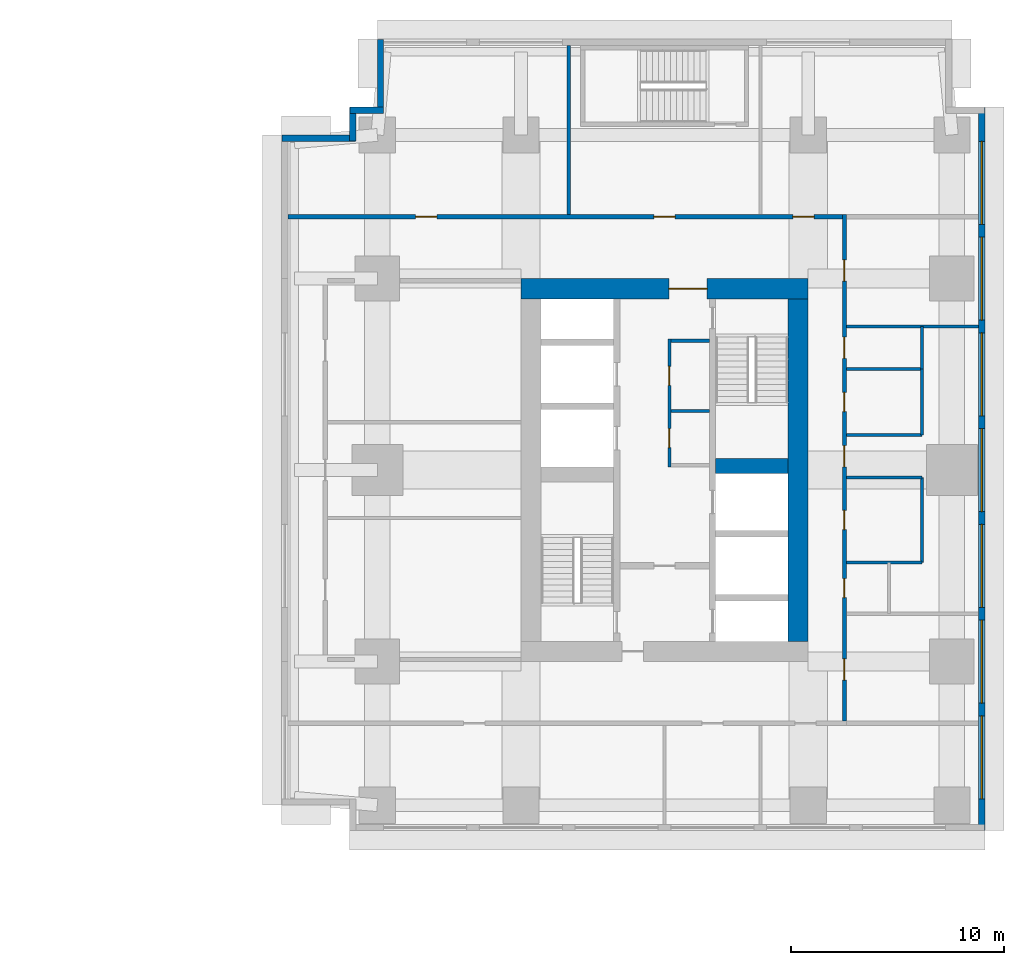
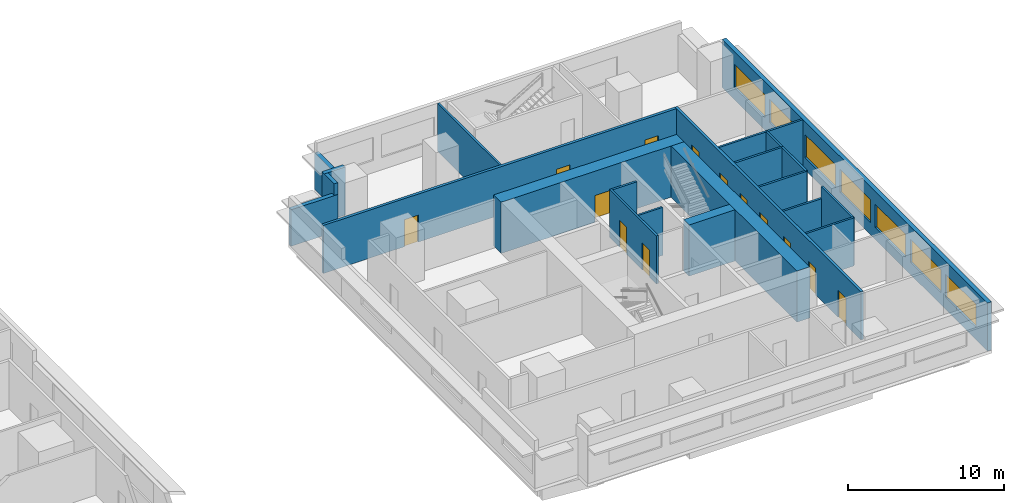
# One storey, part 7 of 11: 22 walls, 13 doors, 7 windows, 20 openings.
"""IFC4 building model written with IfcOpenShell, lengths in metres."""

from ifc_helpers import new_model, si_unit, direction, frame, frame_2d, origin, place, context, subcontext, project, spatial, rectangle, extrude, material, layer, layer_set, type_object, element, fill, save


model = new_model("IFC4")

# Units and contexts
model_context = context("Model", 3, precision=1e-05, world=origin(), true_north=direction((0.0, 1.0)))
body_context = subcontext(model_context, "Body", "Model", "MODEL_VIEW")
ifc_project = project(units=[si_unit("LENGTHUNIT", "METRE"), si_unit("AREAUNIT", "SQUARE_METRE"), si_unit("VOLUMEUNIT", "CUBIC_METRE"), si_unit("PLANEANGLEUNIT", "RADIAN"), si_unit("MASSUNIT", "GRAM", prefix="KILO")], contexts=[model_context])

# Site, building, storey
site_placement = place(None, origin())
site = spatial("IfcSite", under=ifc_project, at=site_placement, CompositionType="ELEMENT")
building_placement = place(site_placement, origin())
building = spatial("IfcBuilding", under=site, at=building_placement, Name="Namib Vertical Campus", CompositionType="ELEMENT")
storey_placement = place(building_placement, frame((0.0, 0.0, 101.0)))
storey = spatial("IfcBuildingStorey", under=building, at=storey_placement, Name="L23", CompositionType="ELEMENT", Elevation=101.0)

# Walls
ifc_material_1 = material(Name="Concrete C60/75", Category="concrete")
ifc_layer_1 = layer(ifc_material_1, 0.699951171875)
ifc_layer_set_1 = layer_set([ifc_layer_1], Name="Concrete C60/75")
wall_type_1 = type_object("IfcWallType", Name="Core shear wall 700", PredefinedType="SHEAR", material=ifc_layer_set_1)
wall_1_placement = place(storey_placement, frame((83.39990234375, 20.449951171875, 0.0), z_axis=(0.0, 0.0, 1.0), x_axis=(1.0, 0.0, 0.0)))
element("IfcWall", 1, at=wall_1_placement, inside=storey, type_object=wall_type_1, Name="Core shear wall B L23 W7", PredefinedType="SHEAR", context=body_context, shape_type="SweptSolid", body=[
    extrude(rectangle(XDim=3.400146484375, YDim=0.699951171875, at=frame_2d((1.7001953125, 0.0))), origin(), (0.0, 0.0, 1.0), 4.0),
])
ifc_material_2 = material(Name="Concrete C60/75", Category="concrete")
ifc_layer_2 = layer(ifc_material_2, 0.949951171875)
ifc_layer_set_2 = layer_set([ifc_layer_2], Name="Concrete C60/75")
wall_type_2 = type_object("IfcWallType", Name="Core wall 950", PredefinedType="SHEAR", material=ifc_layer_set_2)
wall_2_placement = place(storey_placement, frame((87.27490234375, 12.199951171875, 0.0), z_axis=(0.0, 0.0, 1.0), x_axis=(0.0, 1.0, 0.0)))
element("IfcWall", 2, at=wall_2_placement, inside=storey, type_object=wall_type_2, Name="Core wall B L23 2", PredefinedType="SHEAR", context=body_context, shape_type="SweptSolid", body=[
    extrude(rectangle(XDim=16.10009765625, YDim=0.949951171875, at=frame_2d((8.050048828125, 0.0))), origin(), (0.0, 0.0, 1.0), 4.0),
])

# Wall, opening, door
wall_3_placement = place(storey_placement, frame((87.75, 28.77490234375, 0.0), z_axis=(0.0, 0.0, 1.0), x_axis=(-1.0, 0.0, 0.0)))
wall_3 = element("IfcWall", 3, at=wall_3_placement, inside=storey, type_object=wall_type_2, Name="Core wall B L23 3", PredefinedType="SHEAR", context=body_context, shape_type="SweptSolid", body=[
    extrude(rectangle(XDim=13.5, YDim=0.949951171875, at=frame_2d((6.75, 0.0))), origin(), (0.0, 0.0, 1.0), 4.0),
])
opening_1_placement = place(wall_3_placement, frame((4.75, 0.0, 0.0)))
opening_1 = element("IfcOpeningElement", 4, at=opening_1_placement, cuts=wall_3, Name="Opening FD2", PredefinedType="OPENING", context=body_context, shape_type="SweptSolid", body=[
    extrude(rectangle(XDim=1.800048828125, YDim=2.10009765625, at=frame_2d((0.89990234375, 1.050048828125))), frame((0.0, 0.48486328125, 0.0), z_axis=(0.0, -1.0, 0.0), x_axis=(1.0, 0.0, 0.0)), (0.0, 0.0, 1.0), 0.969970703125),
])
ifc_material_3 = material(Name="Steel fire door", Category="steel")
door_type_1 = type_object("IfcDoorType", Name="Fire door double 1800x2100", OperationType="DOUBLE_DOOR_SINGLE_SWING", PredefinedType="DOOR", material=ifc_material_3)
door_1_placement = place(opening_1_placement, origin())
door_1 = element("IfcDoor", 5, at=door_1_placement, inside=storey, type_object=door_type_1, Name="Lift lobby door FD2 B L23", OperationType="DOUBLE_DOOR_SINGLE_SWING", OverallHeight=2.10009765625, OverallWidth=1.800048828125, PredefinedType="DOOR", context=body_context, shape_type="SweptSolid", body=[
    extrude(rectangle(XDim=1.800048828125, YDim=2.10009765625, at=frame_2d((0.89990234375, 1.050048828125))), frame((0.0, 0.02490234375, 0.0), z_axis=(0.0, -1.0, 0.0), x_axis=(1.0, 0.0, 0.0)), (0.0, 0.0, 1.0), 0.050048828125),
])
fill(opening_1, door_1)

# Wall, openings, doors
ifc_material_4 = material(Name="Concrete masonry", Category="masonry")
ifc_layer_3 = layer(ifc_material_4, 0.199951171875)
ifc_layer_set_3 = layer_set([ifc_layer_3], Name="Corridor wall 200")
wall_type_3 = type_object("IfcWallType", Name="Corridor wall 200", PredefinedType="SOLIDWALL", material=ifc_layer_set_3)
wall_4_placement = place(storey_placement, frame((89.449951171875, 8.449951171875, 0.0), z_axis=(0.0, 0.0, 1.0), x_axis=(0.0, 1.0, 0.0)))
wall_4 = element("IfcWall", 6, at=wall_4_placement, inside=storey, type_object=wall_type_3, Name="Corridor wall B L23 CE", PredefinedType="SOLIDWALL", context=body_context, shape_type="SweptSolid", body=[
    extrude(rectangle(XDim=23.800048828125, YDim=0.199951171875, at=frame_2d((11.89990234375, 0.0))), origin(), (0.0, 0.0, 1.0), 3.75),
])
opening_2_placement = place(wall_4_placement, frame((1.925048828125, 0.0, 0.0)))
opening_2 = element("IfcOpeningElement", 7, at=opening_2_placement, cuts=wall_4, Name="Opening CD1", PredefinedType="OPENING", context=body_context, shape_type="SweptSolid", body=[
    extrude(rectangle(XDim=1.0, YDim=2.10009765625, at=frame_2d((0.5, 1.050048828125))), frame((0.0, 0.10986328125, 0.0), z_axis=(0.0, -1.0, 0.0), x_axis=(1.0, 0.0, 0.0)), (0.0, 0.0, 1.0), 0.219970703125),
])
opening_3_placement = place(wall_4_placement, frame((5.800048828125, 0.0, 0.0)))
opening_3 = element("IfcOpeningElement", 8, at=opening_3_placement, cuts=wall_4, Name="Opening CD3", PredefinedType="OPENING", context=body_context, shape_type="SweptSolid", body=[
    extrude(rectangle(XDim=0.89990234375, YDim=2.10009765625, at=frame_2d((0.449951171875, 1.050048828125))), frame((0.0, 0.10986328125, 0.0), z_axis=(0.0, -1.0, 0.0), x_axis=(1.0, 0.0, 0.0)), (0.0, 0.0, 1.0), 0.219970703125),
])
opening_4_placement = place(wall_4_placement, frame((9.0, 0.0, 0.0)))
opening_4 = element("IfcOpeningElement", 9, at=opening_4_placement, cuts=wall_4, Name="Opening CD3", PredefinedType="OPENING", context=body_context, shape_type="SweptSolid", body=[
    extrude(rectangle(XDim=0.89990234375, YDim=2.10009765625, at=frame_2d((0.449951171875, 1.050048828125))), frame((0.0, 0.10986328125, 0.0), z_axis=(0.0, -1.0, 0.0), x_axis=(1.0, 0.0, 0.0)), (0.0, 0.0, 1.0), 0.219970703125),
])
opening_5_placement = place(wall_4_placement, frame((14.550048828125, 0.0, 0.0)))
opening_5 = element("IfcOpeningElement", 10, at=opening_5_placement, cuts=wall_4, Name="Opening CD3", PredefinedType="OPENING", context=body_context, shape_type="SweptSolid", body=[
    extrude(rectangle(XDim=0.89990234375, YDim=2.10009765625, at=frame_2d((0.449951171875, 1.050048828125))), frame((0.0, 0.10986328125, 0.0), z_axis=(0.0, -1.0, 0.0), x_axis=(1.0, 0.0, 0.0)), (0.0, 0.0, 1.0), 0.219970703125),
])
opening_6_placement = place(wall_4_placement, frame((17.050048828125, 0.0, 0.0)))
opening_6 = element("IfcOpeningElement", 11, at=opening_6_placement, cuts=wall_4, Name="Opening CD1", PredefinedType="OPENING", context=body_context, shape_type="SweptSolid", body=[
    extrude(rectangle(XDim=1.0, YDim=2.10009765625, at=frame_2d((0.5, 1.050048828125))), frame((0.0, 0.10986328125, 0.0), z_axis=(0.0, -1.0, 0.0), x_axis=(1.0, 0.0, 0.0)), (0.0, 0.0, 1.0), 0.219970703125),
])
opening_7_placement = place(wall_4_placement, frame((11.949951171875, 0.0, 0.0)))
opening_7 = element("IfcOpeningElement", 12, at=opening_7_placement, cuts=wall_4, Name="Opening CD1", PredefinedType="OPENING", context=body_context, shape_type="SweptSolid", body=[
    extrude(rectangle(XDim=1.0, YDim=2.10009765625, at=frame_2d((0.5, 1.050048828125))), frame((0.0, 0.10986328125, 0.0), z_axis=(0.0, -1.0, 0.0), x_axis=(1.0, 0.0, 0.0)), (0.0, 0.0, 1.0), 0.219970703125),
])
opening_8_placement = place(wall_4_placement, frame((20.675048828125, 0.0, 0.0)))
opening_8 = element("IfcOpeningElement", 13, at=opening_8_placement, cuts=wall_4, Name="Opening CD1", PredefinedType="OPENING", context=body_context, shape_type="SweptSolid", body=[
    extrude(rectangle(XDim=1.0, YDim=2.10009765625, at=frame_2d((0.5, 1.050048828125))), frame((0.0, 0.10986328125, 0.0), z_axis=(0.0, -1.0, 0.0), x_axis=(1.0, 0.0, 0.0)), (0.0, 0.0, 1.0), 0.219970703125),
])
ifc_material_5 = material(Name="Timber fire door leaf", Category="wood")
door_type_2 = type_object("IfcDoorType", Name="Corridor door 1000x2100 20 min", OperationType="SINGLE_SWING_LEFT", PredefinedType="DOOR", material=ifc_material_5)
door_2_placement = place(opening_2_placement, frame((1.0, 0.0, 0.0), z_axis=(0.0, 0.0, 1.0), x_axis=(-1.0, 0.0, 0.0)))
door_2 = element("IfcDoor", 14, at=door_2_placement, inside=storey, type_object=door_type_2, Name="Door CD1 B23-04", OperationType="SINGLE_SWING_RIGHT", OverallHeight=2.10009765625, OverallWidth=1.0, PredefinedType="DOOR", context=body_context, shape_type="SweptSolid", body=[
    extrude(rectangle(XDim=1.0, YDim=2.10009765625, at=frame_2d((0.5, 1.050048828125))), frame((0.0, 0.02490234375, 0.0), z_axis=(0.0, -1.0, 0.0), x_axis=(1.0, 0.0, 0.0)), (0.0, 0.0, 1.0), 0.050048828125),
])
fill(opening_2, door_2)
door_3_placement = place(opening_6_placement, frame((1.0, 0.0, 0.0), z_axis=(0.0, 0.0, 1.0), x_axis=(-1.0, 0.0, 0.0)))
door_3 = element("IfcDoor", 15, at=door_3_placement, inside=storey, type_object=door_type_2, Name="Door CD1 B23-08", OperationType="SINGLE_SWING_RIGHT", OverallHeight=2.10009765625, OverallWidth=1.0, PredefinedType="DOOR", context=body_context, shape_type="SweptSolid", body=[
    extrude(rectangle(XDim=1.0, YDim=2.10009765625, at=frame_2d((0.5, 1.050048828125))), frame((0.0, 0.02490234375, 0.0), z_axis=(0.0, -1.0, 0.0), x_axis=(1.0, 0.0, 0.0)), (0.0, 0.0, 1.0), 0.050048828125),
])
fill(opening_6, door_3)
door_4_placement = place(opening_7_placement, frame((1.0, 0.0, 0.0), z_axis=(0.0, 0.0, 1.0), x_axis=(-1.0, 0.0, 0.0)))
door_4 = element("IfcDoor", 16, at=door_4_placement, inside=storey, type_object=door_type_2, Name="Door CD1 B23-09", OperationType="SINGLE_SWING_RIGHT", OverallHeight=2.10009765625, OverallWidth=1.0, PredefinedType="DOOR", context=body_context, shape_type="SweptSolid", body=[
    extrude(rectangle(XDim=1.0, YDim=2.10009765625, at=frame_2d((0.5, 1.050048828125))), frame((0.0, 0.02490234375, 0.0), z_axis=(0.0, -1.0, 0.0), x_axis=(1.0, 0.0, 0.0)), (0.0, 0.0, 1.0), 0.050048828125),
])
fill(opening_7, door_4)
door_5_placement = place(opening_8_placement, frame((1.0, 0.0, 0.0), z_axis=(0.0, 0.0, 1.0), x_axis=(-1.0, 0.0, 0.0)))
door_5 = element("IfcDoor", 17, at=door_5_placement, inside=storey, type_object=door_type_2, Name="Door CD1 B23-10", OperationType="SINGLE_SWING_RIGHT", OverallHeight=2.10009765625, OverallWidth=1.0, PredefinedType="DOOR", context=body_context, shape_type="SweptSolid", body=[
    extrude(rectangle(XDim=1.0, YDim=2.10009765625, at=frame_2d((0.5, 1.050048828125))), frame((0.0, 0.02490234375, 0.0), z_axis=(0.0, -1.0, 0.0), x_axis=(1.0, 0.0, 0.0)), (0.0, 0.0, 1.0), 0.050048828125),
])
fill(opening_8, door_5)
ifc_material_6 = material(Name="Timber fire door leaf", Category="wood")
door_type_3 = type_object("IfcDoorType", Name="Corridor toilet door 900x2100 20 min", OperationType="SINGLE_SWING_LEFT", PredefinedType="DOOR", material=ifc_material_6)
door_6_placement = place(opening_3_placement, frame((0.89990234375, 0.0, 0.0), z_axis=(0.0, 0.0, 1.0), x_axis=(-1.0, 0.0, 0.0)))
door_6 = element("IfcDoor", 18, at=door_6_placement, inside=storey, type_object=door_type_3, Name="Door CD3 B23-05", OperationType="SINGLE_SWING_RIGHT", OverallHeight=2.10009765625, OverallWidth=0.89990234375, PredefinedType="DOOR", context=body_context, shape_type="SweptSolid", body=[
    extrude(rectangle(XDim=0.89990234375, YDim=2.10009765625, at=frame_2d((0.449951171875, 1.050048828125))), frame((0.0, 0.02490234375, 0.0), z_axis=(0.0, -1.0, 0.0), x_axis=(1.0, 0.0, 0.0)), (0.0, 0.0, 1.0), 0.050048828125),
])
fill(opening_3, door_6)
door_7_placement = place(opening_4_placement, frame((0.89990234375, 0.0, 0.0), z_axis=(0.0, 0.0, 1.0), x_axis=(-1.0, 0.0, 0.0)))
door_7 = element("IfcDoor", 19, at=door_7_placement, inside=storey, type_object=door_type_3, Name="Door CD3 B23-06", OperationType="SINGLE_SWING_RIGHT", OverallHeight=2.10009765625, OverallWidth=0.89990234375, PredefinedType="DOOR", context=body_context, shape_type="SweptSolid", body=[
    extrude(rectangle(XDim=0.89990234375, YDim=2.10009765625, at=frame_2d((0.449951171875, 1.050048828125))), frame((0.0, 0.02490234375, 0.0), z_axis=(0.0, -1.0, 0.0), x_axis=(1.0, 0.0, 0.0)), (0.0, 0.0, 1.0), 0.050048828125),
])
fill(opening_4, door_7)
door_8_placement = place(opening_5_placement, frame((0.89990234375, 0.0, 0.0), z_axis=(0.0, 0.0, 1.0), x_axis=(-1.0, 0.0, 0.0)))
door_8 = element("IfcDoor", 20, at=door_8_placement, inside=storey, type_object=door_type_3, Name="Door CD3 B23-07", OperationType="SINGLE_SWING_RIGHT", OverallHeight=2.10009765625, OverallWidth=0.89990234375, PredefinedType="DOOR", context=body_context, shape_type="SweptSolid", body=[
    extrude(rectangle(XDim=0.89990234375, YDim=2.10009765625, at=frame_2d((0.449951171875, 1.050048828125))), frame((0.0, 0.02490234375, 0.0), z_axis=(0.0, -1.0, 0.0), x_axis=(1.0, 0.0, 0.0)), (0.0, 0.0, 1.0), 0.050048828125),
])
fill(opening_5, door_8)

wall_5_placement = place(storey_placement, frame((89.35009765625, 32.14990234375, 0.0), z_axis=(0.0, 0.0, 1.0), x_axis=(-1.0, 0.0, 0.0)))
wall_5 = element("IfcWall", 21, at=wall_5_placement, inside=storey, type_object=wall_type_3, Name="Corridor wall B L23 CN", PredefinedType="SOLIDWALL", context=body_context, shape_type="SweptSolid", body=[
    extrude(rectangle(XDim=26.050048828125, YDim=0.199951171875, at=frame_2d((13.02490234375, 0.0))), origin(), (0.0, 0.0, 1.0), 3.75),
])
opening_9_placement = place(wall_5_placement, frame((19.050048828125, 0.0, 0.0)))
opening_9 = element("IfcOpeningElement", 22, at=opening_9_placement, cuts=wall_5, Name="Opening CD1", PredefinedType="OPENING", context=body_context, shape_type="SweptSolid", body=[
    extrude(rectangle(XDim=1.0, YDim=2.10009765625, at=frame_2d((0.5, 1.050048828125))), frame((0.0, 0.10986328125, 0.0), z_axis=(0.0, -1.0, 0.0), x_axis=(1.0, 0.0, 0.0)), (0.0, 0.0, 1.0), 0.219970703125),
])
opening_10_placement = place(wall_5_placement, frame((7.85009765625, 0.0, 0.0)))
opening_10 = element("IfcOpeningElement", 23, at=opening_10_placement, cuts=wall_5, Name="Opening CD1", PredefinedType="OPENING", context=body_context, shape_type="SweptSolid", body=[
    extrude(rectangle(XDim=1.0, YDim=2.10009765625, at=frame_2d((0.5, 1.050048828125))), frame((0.0, 0.10986328125, 0.0), z_axis=(0.0, -1.0, 0.0), x_axis=(1.0, 0.0, 0.0)), (0.0, 0.0, 1.0), 0.219970703125),
])
opening_11_placement = place(wall_5_placement, frame((1.324951171875, 0.0, 0.0)))
opening_11 = element("IfcOpeningElement", 24, at=opening_11_placement, cuts=wall_5, Name="Opening CD1", PredefinedType="OPENING", context=body_context, shape_type="SweptSolid", body=[
    extrude(rectangle(XDim=1.0, YDim=2.10009765625, at=frame_2d((0.5, 1.050048828125))), frame((0.0, 0.10986328125, 0.0), z_axis=(0.0, -1.0, 0.0), x_axis=(1.0, 0.0, 0.0)), (0.0, 0.0, 1.0), 0.219970703125),
])
door_9_placement = place(opening_9_placement, frame((1.0, 0.0, 0.0), z_axis=(0.0, 0.0, 1.0), x_axis=(-1.0, 0.0, 0.0)))
door_9 = element("IfcDoor", 25, at=door_9_placement, inside=storey, type_object=door_type_2, Name="Door CD1 B23-11", OperationType="SINGLE_SWING_RIGHT", OverallHeight=2.10009765625, OverallWidth=1.0, PredefinedType="DOOR", context=body_context, shape_type="SweptSolid", body=[
    extrude(rectangle(XDim=1.0, YDim=2.10009765625, at=frame_2d((0.5, 1.050048828125))), frame((0.0, 0.02490234375, 0.0), z_axis=(0.0, -1.0, 0.0), x_axis=(1.0, 0.0, 0.0)), (0.0, 0.0, 1.0), 0.050048828125),
])
fill(opening_9, door_9)
door_10_placement = place(opening_10_placement, frame((1.0, 0.0, 0.0), z_axis=(0.0, 0.0, 1.0), x_axis=(-1.0, 0.0, 0.0)))
door_10 = element("IfcDoor", 26, at=door_10_placement, inside=storey, type_object=door_type_2, Name="Door CD1 B23-12", OperationType="SINGLE_SWING_RIGHT", OverallHeight=2.10009765625, OverallWidth=1.0, PredefinedType="DOOR", context=body_context, shape_type="SweptSolid", body=[
    extrude(rectangle(XDim=1.0, YDim=2.10009765625, at=frame_2d((0.5, 1.050048828125))), frame((0.0, 0.02490234375, 0.0), z_axis=(0.0, -1.0, 0.0), x_axis=(1.0, 0.0, 0.0)), (0.0, 0.0, 1.0), 0.050048828125),
])
fill(opening_10, door_10)
door_11_placement = place(opening_11_placement, frame((1.0, 0.0, 0.0), z_axis=(0.0, 0.0, 1.0), x_axis=(-1.0, 0.0, 0.0)))
door_11 = element("IfcDoor", 27, at=door_11_placement, inside=storey, type_object=door_type_2, Name="Door CD1 B23-13", OperationType="SINGLE_SWING_LEFT", OverallHeight=2.10009765625, OverallWidth=1.0, PredefinedType="DOOR", context=body_context, shape_type="SweptSolid", body=[
    extrude(rectangle(XDim=1.0, YDim=2.10009765625, at=frame_2d((0.5, 1.050048828125))), frame((0.0, 0.02490234375, 0.0), z_axis=(0.0, -1.0, 0.0), x_axis=(1.0, 0.0, 0.0)), (0.0, 0.0, 1.0), 0.050048828125),
])
fill(opening_11, door_11)

# Wall, openings, windows
ifc_material_7 = material(Name="Concrete C40/50", Category="concrete")
ifc_layer_4 = layer(ifc_material_7, 0.300048828125)
ifc_layer_set_4 = layer_set([ifc_layer_4], Name="Concrete C40/50")
wall_type_4 = type_object("IfcWallType", Name="External wall 300 board-marked concrete", PredefinedType="STANDARD", material=ifc_layer_set_4)
wall_6_placement = place(storey_placement, frame((95.89990234375, 3.320068359375, 0.0), z_axis=(0.0, 0.0, 1.0), x_axis=(0.0, 1.0, 0.0)))
wall_6 = element("IfcWall", 28, at=wall_6_placement, inside=storey, type_object=wall_type_4, Name="External wall L23 F04", PredefinedType="STANDARD", context=body_context, shape_type="SweptSolid", body=[
    extrude(rectangle(XDim=33.9599609375, YDim=0.300048828125, at=frame_2d((16.97998046875, 0.0))), origin(), (0.0, 0.0, 1.0), 3.75),
])
opening_12_placement = place(wall_6_placement, frame((1.47998046875, 0.0, 0.949951171875)))
opening_12 = element("IfcOpeningElement", 29, at=opening_12_placement, cuts=wall_6, Name="Opening W3", PredefinedType="OPENING", context=body_context, shape_type="SweptSolid", body=[
    extrude(rectangle(XDim=3.89990234375, YDim=1.800048828125, at=frame_2d((1.949951171875, 0.89990234375))), frame((0.0, 0.159912109375, 0.0), z_axis=(0.0, -1.0, 0.0), x_axis=(1.0, 0.0, 0.0)), (0.0, 0.0, 1.0), 0.320068359375),
])
opening_13_placement = place(wall_6_placement, frame((5.97998046875, 0.0, 0.949951171875)))
opening_13 = element("IfcOpeningElement", 30, at=opening_13_placement, cuts=wall_6, Name="Opening W3", PredefinedType="OPENING", context=body_context, shape_type="SweptSolid", body=[
    extrude(rectangle(XDim=3.89990234375, YDim=1.800048828125, at=frame_2d((1.949951171875, 0.89990234375))), frame((0.0, 0.159912109375, 0.0), z_axis=(0.0, -1.0, 0.0), x_axis=(1.0, 0.0, 0.0)), (0.0, 0.0, 1.0), 0.320068359375),
])
opening_14_placement = place(wall_6_placement, frame((10.47998046875, 0.0, 0.949951171875)))
opening_14 = element("IfcOpeningElement", 31, at=opening_14_placement, cuts=wall_6, Name="Opening W3", PredefinedType="OPENING", context=body_context, shape_type="SweptSolid", body=[
    extrude(rectangle(XDim=3.89990234375, YDim=1.800048828125, at=frame_2d((1.949951171875, 0.89990234375))), frame((0.0, 0.159912109375, 0.0), z_axis=(0.0, -1.0, 0.0), x_axis=(1.0, 0.0, 0.0)), (0.0, 0.0, 1.0), 0.320068359375),
])
opening_15_placement = place(wall_6_placement, frame((14.97998046875, 0.0, 0.949951171875)))
opening_15 = element("IfcOpeningElement", 32, at=opening_15_placement, cuts=wall_6, Name="Opening W3", PredefinedType="OPENING", context=body_context, shape_type="SweptSolid", body=[
    extrude(rectangle(XDim=3.89990234375, YDim=1.800048828125, at=frame_2d((1.949951171875, 0.89990234375))), frame((0.0, 0.159912109375, 0.0), z_axis=(0.0, -1.0, 0.0), x_axis=(1.0, 0.0, 0.0)), (0.0, 0.0, 1.0), 0.320068359375),
])
opening_16_placement = place(wall_6_placement, frame((19.47998046875, 0.0, 0.949951171875)))
opening_16 = element("IfcOpeningElement", 33, at=opening_16_placement, cuts=wall_6, Name="Opening W3", PredefinedType="OPENING", context=body_context, shape_type="SweptSolid", body=[
    extrude(rectangle(XDim=3.89990234375, YDim=1.800048828125, at=frame_2d((1.949951171875, 0.89990234375))), frame((0.0, 0.159912109375, 0.0), z_axis=(0.0, -1.0, 0.0), x_axis=(1.0, 0.0, 0.0)), (0.0, 0.0, 1.0), 0.320068359375),
])
opening_17_placement = place(wall_6_placement, frame((23.97998046875, 0.0, 0.949951171875)))
opening_17 = element("IfcOpeningElement", 34, at=opening_17_placement, cuts=wall_6, Name="Opening W3", PredefinedType="OPENING", context=body_context, shape_type="SweptSolid", body=[
    extrude(rectangle(XDim=3.89990234375, YDim=1.800048828125, at=frame_2d((1.949951171875, 0.89990234375))), frame((0.0, 0.159912109375, 0.0), z_axis=(0.0, -1.0, 0.0), x_axis=(1.0, 0.0, 0.0)), (0.0, 0.0, 1.0), 0.320068359375),
])
opening_18_placement = place(wall_6_placement, frame((28.47998046875, 0.0, 0.949951171875)))
opening_18 = element("IfcOpeningElement", 35, at=opening_18_placement, cuts=wall_6, Name="Opening W3", PredefinedType="OPENING", context=body_context, shape_type="SweptSolid", body=[
    extrude(rectangle(XDim=3.89990234375, YDim=1.800048828125, at=frame_2d((1.949951171875, 0.89990234375))), frame((0.0, 0.159912109375, 0.0), z_axis=(0.0, -1.0, 0.0), x_axis=(1.0, 0.0, 0.0)), (0.0, 0.0, 1.0), 0.320068359375),
])
ifc_material_8 = material(Name="Dark tinted glass in black aluminium frame", Category="aluminium")
window_type = type_object("IfcWindowType", Name="Ribbon window 3900x1800", PartitioningType="SINGLE_PANEL", PredefinedType="WINDOW", material=ifc_material_8)
window_1_placement = place(opening_12_placement, origin())
window_1 = element("IfcWindow", 36, at=window_1_placement, inside=storey, type_object=window_type, Name="Window W3 L23 F04-1", OverallHeight=1.800048828125, OverallWidth=3.89990234375, PartitioningType="SINGLE_PANEL", PredefinedType="WINDOW", context=body_context, shape_type="SweptSolid", body=[
    extrude(rectangle(XDim=3.89990234375, YDim=1.800048828125, at=frame_2d((1.949951171875, 0.89990234375))), frame((0.0, 0.030029296875, 0.0), z_axis=(0.0, -1.0, 0.0), x_axis=(1.0, 0.0, 0.0)), (0.0, 0.0, 1.0), 0.06005859375),
])
fill(opening_12, window_1)
window_2_placement = place(opening_13_placement, origin())
window_2 = element("IfcWindow", 37, at=window_2_placement, inside=storey, type_object=window_type, Name="Window W3 L23 F04-2", OverallHeight=1.800048828125, OverallWidth=3.89990234375, PartitioningType="SINGLE_PANEL", PredefinedType="WINDOW", context=body_context, shape_type="SweptSolid", body=[
    extrude(rectangle(XDim=3.89990234375, YDim=1.800048828125, at=frame_2d((1.949951171875, 0.89990234375))), frame((0.0, 0.030029296875, 0.0), z_axis=(0.0, -1.0, 0.0), x_axis=(1.0, 0.0, 0.0)), (0.0, 0.0, 1.0), 0.06005859375),
])
fill(opening_13, window_2)
window_3_placement = place(opening_14_placement, origin())
window_3 = element("IfcWindow", 38, at=window_3_placement, inside=storey, type_object=window_type, Name="Window W3 L23 F04-3", OverallHeight=1.800048828125, OverallWidth=3.89990234375, PartitioningType="SINGLE_PANEL", PredefinedType="WINDOW", context=body_context, shape_type="SweptSolid", body=[
    extrude(rectangle(XDim=3.89990234375, YDim=1.800048828125, at=frame_2d((1.949951171875, 0.89990234375))), frame((0.0, 0.030029296875, 0.0), z_axis=(0.0, -1.0, 0.0), x_axis=(1.0, 0.0, 0.0)), (0.0, 0.0, 1.0), 0.06005859375),
])
fill(opening_14, window_3)
window_4_placement = place(opening_15_placement, origin())
window_4 = element("IfcWindow", 39, at=window_4_placement, inside=storey, type_object=window_type, Name="Window W3 L23 F04-4", OverallHeight=1.800048828125, OverallWidth=3.89990234375, PartitioningType="SINGLE_PANEL", PredefinedType="WINDOW", context=body_context, shape_type="SweptSolid", body=[
    extrude(rectangle(XDim=3.89990234375, YDim=1.800048828125, at=frame_2d((1.949951171875, 0.89990234375))), frame((0.0, 0.030029296875, 0.0), z_axis=(0.0, -1.0, 0.0), x_axis=(1.0, 0.0, 0.0)), (0.0, 0.0, 1.0), 0.06005859375),
])
fill(opening_15, window_4)
window_5_placement = place(opening_16_placement, origin())
window_5 = element("IfcWindow", 40, at=window_5_placement, inside=storey, type_object=window_type, Name="Window W3 L23 F04-5", OverallHeight=1.800048828125, OverallWidth=3.89990234375, PartitioningType="SINGLE_PANEL", PredefinedType="WINDOW", context=body_context, shape_type="SweptSolid", body=[
    extrude(rectangle(XDim=3.89990234375, YDim=1.800048828125, at=frame_2d((1.949951171875, 0.89990234375))), frame((0.0, 0.030029296875, 0.0), z_axis=(0.0, -1.0, 0.0), x_axis=(1.0, 0.0, 0.0)), (0.0, 0.0, 1.0), 0.06005859375),
])
fill(opening_16, window_5)
window_6_placement = place(opening_17_placement, origin())
window_6 = element("IfcWindow", 41, at=window_6_placement, inside=storey, type_object=window_type, Name="Window W3 L23 F04-6", OverallHeight=1.800048828125, OverallWidth=3.89990234375, PartitioningType="SINGLE_PANEL", PredefinedType="WINDOW", context=body_context, shape_type="SweptSolid", body=[
    extrude(rectangle(XDim=3.89990234375, YDim=1.800048828125, at=frame_2d((1.949951171875, 0.89990234375))), frame((0.0, 0.030029296875, 0.0), z_axis=(0.0, -1.0, 0.0), x_axis=(1.0, 0.0, 0.0)), (0.0, 0.0, 1.0), 0.06005859375),
])
fill(opening_17, window_6)
window_7_placement = place(opening_18_placement, origin())
window_7 = element("IfcWindow", 42, at=window_7_placement, inside=storey, type_object=window_type, Name="Window W3 L23 F04-7", OverallHeight=1.800048828125, OverallWidth=3.89990234375, PartitioningType="SINGLE_PANEL", PredefinedType="WINDOW", context=body_context, shape_type="SweptSolid", body=[
    extrude(rectangle(XDim=3.89990234375, YDim=1.800048828125, at=frame_2d((1.949951171875, 0.89990234375))), frame((0.0, 0.030029296875, 0.0), z_axis=(0.0, -1.0, 0.0), x_axis=(1.0, 0.0, 0.0)), (0.0, 0.0, 1.0), 0.06005859375),
])
fill(opening_18, window_7)

# Walls
wall_7_placement = place(storey_placement, frame((67.64990234375, 40.47998046875, 0.0), z_axis=(0.0, 0.0, 1.0), x_axis=(0.0, -1.0, 0.0)))
element("IfcWall", 43, at=wall_7_placement, inside=storey, type_object=wall_type_4, Name="External wall L23 F08", PredefinedType="STANDARD", context=body_context, shape_type="SweptSolid", body=[
    extrude(rectangle(XDim=3.4599609375, YDim=0.300048828125, at=frame_2d((1.72998046875, 0.0))), origin(), (0.0, 0.0, 1.0), 2.85009765625),
])
for number, where, z_axis, x_axis, name in (
    (44, (67.780029296875, 37.14990234375, 0.0), (0.0, 0.0, 1.0), (-1.0, 0.0, 0.0), "External wall L23 F09"),
    (45, (66.35009765625, 37.280029296875, 0.0), (0.0, 0.0, 1.0), (0.0, -1.0, 0.0), "External wall L23 F10"),
):
    element("IfcWall", number, at=place(storey_placement, frame(where, z_axis=z_axis, x_axis=x_axis)), inside=storey, type_object=wall_type_4, Name=name, PredefinedType="STANDARD", context=body_context, shape_type="SweptSolid", body=[
        extrude(rectangle(XDim=1.56005859375, YDim=0.300048828125, at=frame_2d((0.780029296875, 0.0))), origin(), (0.0, 0.0, 1.0), 3.75),
    ])
wall_8_placement = place(storey_placement, frame((66.47998046875, 35.85009765625, 0.0), z_axis=(0.0, 0.0, 1.0), x_axis=(-1.0, 0.0, 0.0)))
element("IfcWall", 46, at=wall_8_placement, inside=storey, type_object=wall_type_4, Name="External wall L23 F11", PredefinedType="STANDARD", context=body_context, shape_type="SweptSolid", body=[
    extrude(rectangle(XDim=3.4599609375, YDim=0.300048828125, at=frame_2d((1.72998046875, 0.0))), origin(), (0.0, 0.0, 1.0), 2.85009765625),
])

# Wall, openings, doors
ifc_material_9 = material(Name="Gypsum board on steel studs", Category="steel")
ifc_layer_5 = layer(ifc_material_9, 0.14990234375)
ifc_layer_set_5 = layer_set([ifc_layer_5], Name="Gypsum board on steel studs")
wall_type_5 = type_object("IfcWallType", Name="Partition 150", PredefinedType="PARTITIONING", material=ifc_layer_set_5)
wall_9_placement = place(storey_placement, frame((81.22509765625, 20.39990234375, 0.0), z_axis=(0.0, 0.0, 1.0), x_axis=(0.0, 1.0, 0.0)))
wall_9 = element("IfcWall", 47, at=wall_9_placement, inside=storey, type_object=wall_type_5, Name="Partition B L23 Comms room and Store front", PredefinedType="PARTITIONING", context=body_context, shape_type="SweptSolid", body=[
    extrude(rectangle(XDim=6.0, YDim=0.14990234375, at=frame_2d((3.0, 0.0))), origin(), (0.0, 0.0, 1.0), 3.75),
])
opening_19_placement = place(wall_9_placement, frame((0.89990234375, 0.0, 0.0)))
opening_19 = element("IfcOpeningElement", 48, at=opening_19_placement, cuts=wall_9, Name="Opening D3", PredefinedType="OPENING", context=body_context, shape_type="SweptSolid", body=[
    extrude(rectangle(XDim=0.89990234375, YDim=2.10009765625, at=frame_2d((0.449951171875, 1.050048828125))), frame((0.0, 0.0849609375, 0.0), z_axis=(0.0, -1.0, 0.0), x_axis=(1.0, 0.0, 0.0)), (0.0, 0.0, 1.0), 0.169921875),
])
opening_20_placement = place(wall_9_placement, frame((3.824951171875, 0.0, 0.0)))
opening_20 = element("IfcOpeningElement", 49, at=opening_20_placement, cuts=wall_9, Name="Opening D3", PredefinedType="OPENING", context=body_context, shape_type="SweptSolid", body=[
    extrude(rectangle(XDim=0.89990234375, YDim=2.10009765625, at=frame_2d((0.449951171875, 1.050048828125))), frame((0.0, 0.0849609375, 0.0), z_axis=(0.0, -1.0, 0.0), x_axis=(1.0, 0.0, 0.0)), (0.0, 0.0, 1.0), 0.169921875),
])
ifc_material_10 = material(Name="Timber door leaf", Category="wood")
door_type_4 = type_object("IfcDoorType", Name="Toilet door 900x2100", OperationType="SINGLE_SWING_LEFT", PredefinedType="DOOR", material=ifc_material_10)
door_12_placement = place(opening_19_placement, frame((0.89990234375, 0.0, 0.0), z_axis=(0.0, 0.0, 1.0), x_axis=(-1.0, 0.0, 0.0)))
door_12 = element("IfcDoor", 50, at=door_12_placement, inside=storey, type_object=door_type_4, Name="Door D3 Comms room B L23", OperationType="SINGLE_SWING_RIGHT", OverallHeight=2.10009765625, OverallWidth=0.89990234375, PredefinedType="DOOR", context=body_context, shape_type="SweptSolid", body=[
    extrude(rectangle(XDim=0.89990234375, YDim=2.10009765625, at=frame_2d((0.449951171875, 1.050048828125))), frame((0.0, 0.02490234375, 0.0), z_axis=(0.0, -1.0, 0.0), x_axis=(1.0, 0.0, 0.0)), (0.0, 0.0, 1.0), 0.050048828125),
])
fill(opening_19, door_12)
door_13_placement = place(opening_20_placement, frame((0.89990234375, 0.0, 0.0), z_axis=(0.0, 0.0, 1.0), x_axis=(-1.0, 0.0, 0.0)))
door_13 = element("IfcDoor", 51, at=door_13_placement, inside=storey, type_object=door_type_4, Name="Door D3 Store B L23", OperationType="SINGLE_SWING_RIGHT", OverallHeight=2.10009765625, OverallWidth=0.89990234375, PredefinedType="DOOR", context=body_context, shape_type="SweptSolid", body=[
    extrude(rectangle(XDim=0.89990234375, YDim=2.10009765625, at=frame_2d((0.449951171875, 1.050048828125))), frame((0.0, 0.02490234375, 0.0), z_axis=(0.0, -1.0, 0.0), x_axis=(1.0, 0.0, 0.0)), (0.0, 0.0, 1.0), 0.050048828125),
])
fill(opening_20, door_13)

# Walls
for number, where, z_axis, x_axis, name in (
    (52, (81.300048828125, 23.02490234375, 0.0), (0.0, 0.0, 1.0), (1.0, 0.0, 0.0), "Partition B L23 Comms room and Store division 2"),
    (53, (81.300048828125, 26.324951171875, 0.0), (0.0, 0.0, 1.0), (1.0, 0.0, 0.0), "Partition B L23 Comms room and Store end 3"),
):
    element("IfcWall", number, at=place(storey_placement, frame(where, z_axis=z_axis, x_axis=x_axis)), inside=storey, type_object=wall_type_5, Name=name, PredefinedType="PARTITIONING", context=body_context, shape_type="SweptSolid", body=[
        extrude(rectangle(XDim=1.800048828125, YDim=0.14990234375, at=frame_2d((0.89990234375, 0.0))), origin(), (0.0, 0.0, 1.0), 3.75),
    ])
wall_10_placement = place(storey_placement, frame((76.5, 32.25, 0.0), z_axis=(0.0, 0.0, 1.0), x_axis=(0.0, 1.0, 0.0)))
element("IfcWall", 54, at=wall_10_placement, inside=storey, type_object=wall_type_5, Name="Partition B L23 PN1", PredefinedType="PARTITIONING", context=body_context, shape_type="SweptSolid", body=[
    extrude(rectangle(XDim=7.949951171875, YDim=0.14990234375, at=frame_2d((3.97509765625, 0.0))), origin(), (0.0, 0.0, 1.0), 3.75),
])
wall_11_placement = place(storey_placement, frame((89.550048828125, 27.0, 0.0), z_axis=(0.0, 0.0, 1.0), x_axis=(1.0, 0.0, 0.0)))
element("IfcWall", 55, at=wall_11_placement, inside=storey, type_object=wall_type_5, Name="Partition B L23 PE2", PredefinedType="PARTITIONING", context=body_context, shape_type="SweptSolid", body=[
    extrude(rectangle(XDim=6.199951171875, YDim=0.14990234375, at=frame_2d((3.10009765625, 0.0))), origin(), (0.0, 0.0, 1.0), 3.75),
])
wall_12_placement = place(storey_placement, frame((89.550048828125, 15.89990234375, 0.0), z_axis=(0.0, 0.0, 1.0), x_axis=(1.0, 0.0, 0.0)))
element("IfcWall", 56, at=wall_12_placement, inside=storey, type_object=wall_type_5, Name="Partition B L23 WR1", PredefinedType="PARTITIONING", context=body_context, shape_type="SweptSolid", body=[
    extrude(rectangle(XDim=3.550048828125, YDim=0.14990234375, at=frame_2d((1.77490234375, 0.0))), origin(), (0.0, 0.0, 1.0), 3.75),
])
wall_13_placement = place(storey_placement, frame((89.550048828125, 19.89990234375, 0.0), z_axis=(0.0, 0.0, 1.0), x_axis=(1.0, 0.0, 0.0)))
element("IfcWall", 57, at=wall_13_placement, inside=storey, type_object=wall_type_5, Name="Partition B L23 WR2", PredefinedType="PARTITIONING", context=body_context, shape_type="SweptSolid", body=[
    extrude(rectangle(XDim=3.550048828125, YDim=0.14990234375, at=frame_2d((1.77490234375, 0.0))), origin(), (0.0, 0.0, 1.0), 2.85009765625),
])
for number, where, z_axis, x_axis, name in (
    (58, (89.550048828125, 21.89990234375, 0.0), (0.0, 0.0, 1.0), (1.0, 0.0, 0.0), "Partition B L23 WR3"),
    (59, (89.550048828125, 25.0, 0.0), (0.0, 0.0, 1.0), (1.0, 0.0, 0.0), "Partition B L23 WR4"),
):
    element("IfcWall", number, at=place(storey_placement, frame(where, z_axis=z_axis, x_axis=x_axis)), inside=storey, type_object=wall_type_5, Name=name, PredefinedType="PARTITIONING", context=body_context, shape_type="SweptSolid", body=[
        extrude(rectangle(XDim=3.550048828125, YDim=0.14990234375, at=frame_2d((1.77490234375, 0.0))), origin(), (0.0, 0.0, 1.0), 3.75),
    ])
wall_14_placement = place(storey_placement, frame((93.10009765625, 15.89990234375, 0.0), z_axis=(0.0, 0.0, 1.0), x_axis=(0.0, 1.0, 0.0)))
element("IfcWall", 60, at=wall_14_placement, inside=storey, type_object=wall_type_5, Name="Partition B L23 WB2", PredefinedType="PARTITIONING", context=body_context, shape_type="SweptSolid", body=[
    extrude(rectangle(XDim=4.0, YDim=0.14990234375, at=frame_2d((2.0, 0.0))), origin(), (0.0, 0.0, 1.0), 3.75),
])
wall_15_placement = place(storey_placement, frame((93.10009765625, 21.89990234375, 0.0), z_axis=(0.0, 0.0, 1.0), x_axis=(0.0, 1.0, 0.0)))
element("IfcWall", 61, at=wall_15_placement, inside=storey, type_object=wall_type_5, Name="Partition B L23 WB3", PredefinedType="PARTITIONING", context=body_context, shape_type="SweptSolid", body=[
    extrude(rectangle(XDim=3.10009765625, YDim=0.14990234375, at=frame_2d((1.550048828125, 0.0))), origin(), (0.0, 0.0, 1.0), 3.75),
])
wall_16_placement = place(storey_placement, frame((93.10009765625, 25.0, 0.0), z_axis=(0.0, 0.0, 1.0), x_axis=(0.0, 1.0, 0.0)))
element("IfcWall", 62, at=wall_16_placement, inside=storey, type_object=wall_type_5, Name="Partition B L23 WB4", PredefinedType="PARTITIONING", context=body_context, shape_type="SweptSolid", body=[
    extrude(rectangle(XDim=2.0, YDim=0.14990234375, at=frame_2d((1.0, 0.0))), origin(), (0.0, 0.0, 1.0), 3.75),
])

save(model, "model.ifc")
